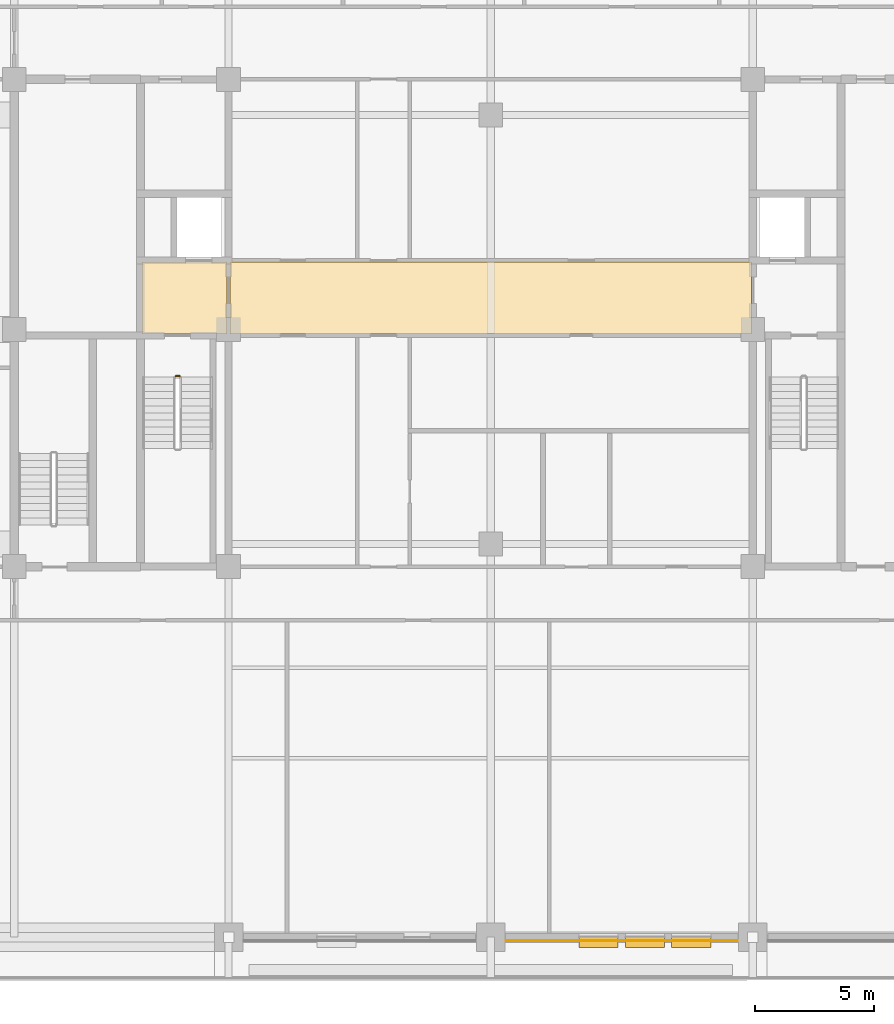
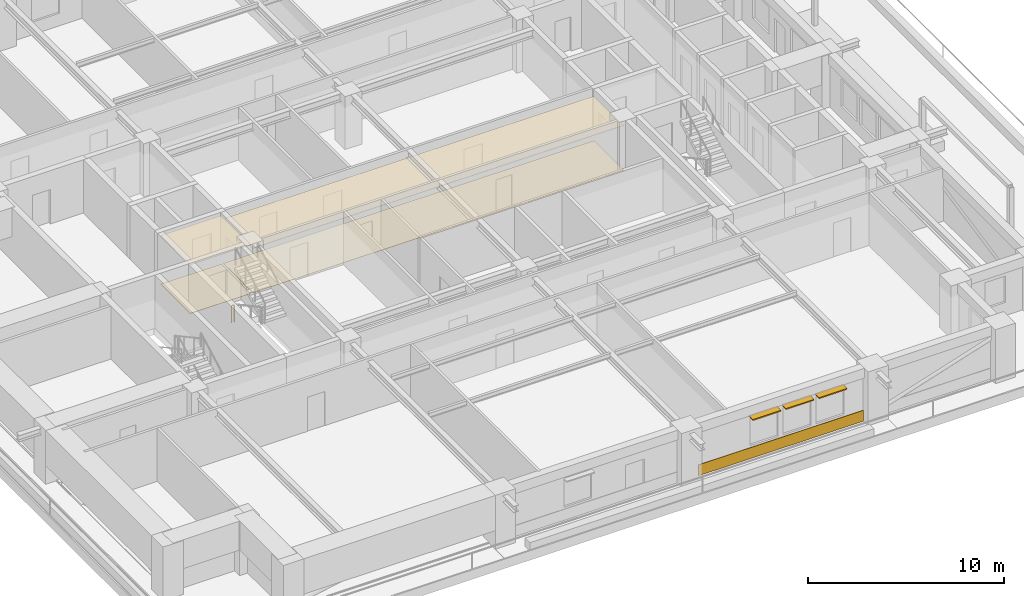
# One storey, part 15 of 17: 5 coverings, 3 shading devices, 1 railing.
"""IFC4 building model written with IfcOpenShell, lengths in metres."""

from ifc_helpers import new_model, si_unit, direction, frame, frame_2d, origin, origin_2d, place, context, subcontext, project, spatial, polyline, rectangle, outline, extrude, material, layer, layer_set, type_object, element, save


model = new_model("IFC4")

# Units and contexts
model_context = context("Model", 3, precision=1e-05, world=origin(), true_north=direction((0.0, 1.0)))
body_context = subcontext(model_context, "Body", "Model", "MODEL_VIEW")
ifc_project = project(units=[si_unit("LENGTHUNIT", "METRE"), si_unit("AREAUNIT", "SQUARE_METRE"), si_unit("VOLUMEUNIT", "CUBIC_METRE"), si_unit("PLANEANGLEUNIT", "RADIAN"), si_unit("MASSUNIT", "GRAM", prefix="KILO")], contexts=[model_context])

# Site, building, storey
site_placement = place(None, origin())
site = spatial("IfcSite", under=ifc_project, at=site_placement, CompositionType="ELEMENT")
building_placement = place(site_placement, origin())
building = spatial("IfcBuilding", under=site, at=building_placement, Name="Zulmaris Gate Convention Tower", CompositionType="ELEMENT")
storey_placement = place(building_placement, frame((0.0, 0.0, 121.349853515625)))
storey = spatial("IfcBuildingStorey", under=building, at=storey_placement, Name="L30", CompositionType="ELEMENT", Elevation=121.349853515625)

# Coverings
ifc_material_1 = material(Name="Precast concrete C40/50", Category="concrete")
ifc_layer_1 = layer(ifc_material_1, 0.0400390625, Name="Precast concrete C40/50")
ifc_layer_set_1 = layer_set([ifc_layer_1], Name="Precast concrete C40/50")
covering_type_1 = type_object("IfcCoveringType", Name="CLAD-SPANDREL-PRECAST", PredefinedType="CLADDING", material=ifc_layer_set_1)
covering_1_placement = place(storey_placement, frame((0.6298828125, -25.64990234375, 0.0), z_axis=(0.0, 0.0, 1.0), x_axis=(1.0, 0.0, 0.0)))
element("IfcCovering", 1, at=covering_1_placement, inside=storey, type_object=covering_type_1, Name="CLD-L30-S-2_0", PredefinedType="CLADDING", context=body_context, shape_type="SweptSolid", body=[
    extrude(rectangle(XDim=9.740234375, YDim=0.0400390625, at=frame_2d((4.8701171875, 0.0))), origin(), (0.0, 0.0, 1.0), 0.679931640625),
])
ifc_material_2 = material(Name="Mineral Fibre Acoustic Ceiling Tile")
ifc_layer_2 = layer(ifc_material_2, 0.02001953125, Name="Mineral Fibre Acoustic Ceiling Tile")
ifc_layer_set_2 = layer_set([ifc_layer_2], Name="Mineral Fibre Acoustic Ceiling Tile")
covering_type_2 = type_object("IfcCoveringType", Name="CLG-ACOUSTIC-600", PredefinedType="CEILING", material=ifc_layer_set_2)
covering_2_placement = place(storey_placement, frame((0.0, 0.0, 3.0400390625)))
element("IfcCovering", 2, at=covering_2_placement, inside=storey, type_object=covering_type_2, Name="CLG-L30-R03", PredefinedType="CEILING", context=body_context, shape_type="SweptSolid", body=[
    extrude(outline(polyline([(-14.639892578125, -0.18994140625), (-11.06005859375, -0.18994140625), (-11.06005859375, 2.840087890625), (-14.639892578125, 2.840087890625), (-14.639892578125, -0.18994140625)])), origin(), (0.0, 0.0, 1.0), 0.02001953125),
])
covering_3_placement = place(storey_placement, frame((0.0, 0.0, 2.778076171875)))
element("IfcCovering", 3, at=covering_3_placement, inside=storey, type_object=covering_type_2, Name="CLG-L30-R28", PredefinedType="CEILING", context=body_context, shape_type="SweptSolid", body=[
    extrude(outline(polyline([(-10.93994140625, -0.18994140625), (10.93994140625, -0.18994140625), (10.93994140625, 2.840087890625), (-10.93994140625, 2.840087890625), (-10.93994140625, -0.18994140625)])), origin(), (0.0, 0.0, 1.0), 0.02001953125),
])
ifc_material_3 = material(Name="Woven Acoustic Wool Carpet Tile")
ifc_layer_3 = layer(ifc_material_3, 0.02001953125, Name="Woven Acoustic Wool Carpet Tile")
ifc_layer_set_3 = layer_set([ifc_layer_3], Name="Woven Acoustic Wool Carpet Tile")
covering_type_3 = type_object("IfcCoveringType", Name="FLR-CARPET-12", PredefinedType="FLOORING", material=ifc_layer_set_3)
covering_4_placement = place(storey_placement, origin())
element("IfcCovering", 4, at=covering_4_placement, inside=storey, type_object=covering_type_3, Name="FLR-L30-R03", PredefinedType="FLOORING", context=body_context, shape_type="SweptSolid", body=[
    extrude(outline(polyline([(-14.639892578125, -0.18994140625), (-11.06005859375, -0.18994140625), (-11.06005859375, 2.840087890625), (-14.639892578125, 2.840087890625), (-14.639892578125, -0.18994140625)])), origin(), (0.0, 0.0, 1.0), 0.02001953125),
])
covering_5_placement = place(storey_placement, origin())
element("IfcCovering", 5, at=covering_5_placement, inside=storey, type_object=covering_type_3, Name="FLR-L30-R28", PredefinedType="FLOORING", context=body_context, shape_type="SweptSolid", body=[
    extrude(outline(polyline([(-10.93994140625, -0.18994140625), (10.93994140625, -0.18994140625), (10.93994140625, 2.840087890625), (-10.93994140625, 2.840087890625), (-10.93994140625, -0.18994140625)])), origin(), (0.0, 0.0, 1.0), 0.02001953125),
])

# Railing
ifc_material_4 = material(Name="Painted Galvanised Steel", Category="steel")
railing_type = type_object("IfcRailingType", Name="RL-STG-1150", PredefinedType="GUARDRAIL", material=ifc_material_4)
railing_placement = place(storey_placement, frame((-13.219970703125, -1.949951171875, 0.0)))
element("IfcRailing", 6, at=railing_placement, inside=storey, type_object=railing_type, Name="L30 ST-1 stair guard 4", PredefinedType="GUARDRAIL", context=body_context, shape_type="SweptSolid", body=[
    extrude(rectangle(XDim=0.048095703125, YDim=0.048095703125, at=origin_2d()), frame((0.0, 0.0, 1.076171875), z_axis=(1.0, 0.0, 0.0), x_axis=(0.0, 1.0, 0.0)), (0.0, 0.0, 1.0), 0.159912109375),
    extrude(rectangle(XDim=0.0419921875, YDim=0.0419921875, at=origin_2d()), origin(), (0.0, 0.0, 1.0), 1.052001953125),
    extrude(rectangle(XDim=0.0419921875, YDim=0.0419921875, at=origin_2d()), frame((0.159912109375, 0.0, 0.0)), (0.0, 0.0, 1.0), 1.052001953125),
])

# Shading devices
ifc_material_5 = material(Name="Glazed Ceramic Terracotta", Category="masonry")
ifc_layer_4 = layer(ifc_material_5, 0.070068359375, Name="Glazed Ceramic Terracotta")
ifc_layer_set_4 = layer_set([ifc_layer_4], Name="Glazed Ceramic Terracotta")
shading_device_type = type_object("IfcShadingDeviceType", Name="SHD-SUNSHADE-TC", PredefinedType="AWNING", material=ifc_layer_set_4)
for number, where, z_axis, x_axis, name in (
    (7, (3.700927734375, -25.719970703125, 2.530029296875), (0.0, 0.0, 1.0), (1.0, 0.0, 0.0), "SHD-EW-L30-S-2_0-2"),
    (8, (5.64892578125, -25.719970703125, 2.530029296875), (0.0, 0.0, 1.0), (1.0, 0.0, 0.0), "SHD-EW-L30-S-2_0-3"),
    (9, (7.596923828125, -25.719970703125, 2.530029296875), (0.0, 0.0, 1.0), (1.0, 0.0, 0.0), "SHD-EW-L30-S-2_0-4"),
):
    element("IfcShadingDevice", number, at=place(storey_placement, frame(where, z_axis=z_axis, x_axis=x_axis)), inside=storey, type_object=shading_device_type, Name=name, PredefinedType="AWNING", context=body_context, shape_type="SweptSolid", body=[
        extrude(rectangle(XDim=1.650146484375, YDim=0.43994140625, at=frame_2d((0.8251953125, 0.0))), origin(), (0.0, 0.0, 1.0), 0.070068359375),
    ])

save(model, "model.ifc")
